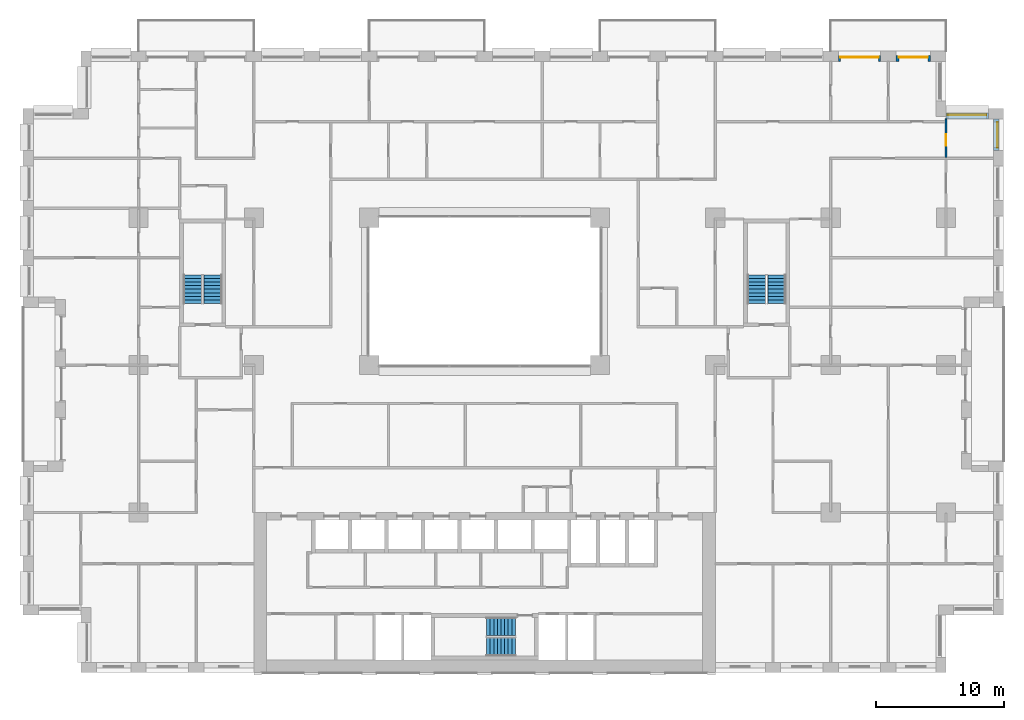
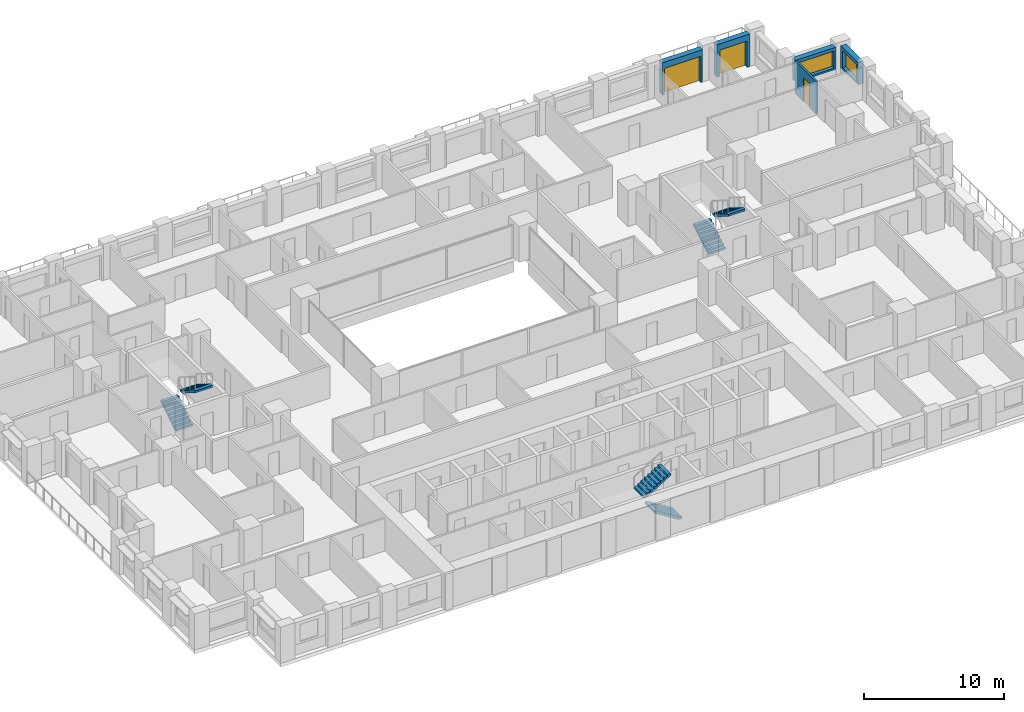
# One storey, part 17 of 19: 6 stair flights, 5 walls, 3 doors, 2 windows, 5 openings, 3 elements without a shape of their own.
"""IFC4 building model written with IfcOpenShell, lengths in metres."""

from ifc_helpers import new_model, si_unit, direction, frame, frame_2d, origin, place, context, subcontext, project, spatial, polyline, rectangle, outline, extrude, material, layer, layer_set, type_object, element, fill, aggregate, save


model = new_model("IFC4")

# Units and contexts
model_context = context("Model", 3, precision=1e-05, world=origin(), true_north=direction((0.0, 1.0)))
body_context = subcontext(model_context, "Body", "Model", "MODEL_VIEW")
ifc_project = project(units=[si_unit("LENGTHUNIT", "METRE"), si_unit("AREAUNIT", "SQUARE_METRE"), si_unit("VOLUMEUNIT", "CUBIC_METRE"), si_unit("PLANEANGLEUNIT", "RADIAN"), si_unit("MASSUNIT", "GRAM", prefix="KILO")], contexts=[model_context])

# Site, building, storey
site_placement = place(None, origin())
site = spatial("IfcSite", under=ifc_project, at=site_placement, CompositionType="ELEMENT")
building_placement = place(site_placement, origin())
building = spatial("IfcBuilding", under=site, at=building_placement, Name="Brigalow Station Residences", CompositionType="ELEMENT")
storey_placement = place(building_placement, frame((0.0, 0.0, 32.10009765625)))
storey = spatial("IfcBuildingStorey", under=building, at=storey_placement, Name="L08", CompositionType="ELEMENT", Elevation=32.10009765625)

# Wall, opening, window
ifc_material_1 = material(Name="Clay brick masonry", Category="masonry")
ifc_layer_1 = layer(ifc_material_1, 0.449951171875)
ifc_layer_set_1 = layer_set([ifc_layer_1], Name="BRICK INFILL WALL 450")
wall_type_1 = type_object("IfcWallType", Name="BRICK INFILL WALL 450", PredefinedType="SOLIDWALL", material=ifc_layer_set_1)
wall_1_placement = place(storey_placement, frame((75.925048828125, 40.72509765625, 0.89990234375), z_axis=(0.0, 0.0, 1.0), x_axis=(0.0, 1.0, 0.0)))
wall_1 = element("IfcWall", 1, at=wall_1_placement, inside=storey, type_object=wall_type_1, Name="L08/ewall/W-L08-22", PredefinedType="SOLIDWALL", context=body_context, shape_type="SweptSolid", body=[
    extrude(rectangle(XDim=2.474853515625, YDim=0.449951171875, at=frame_2d((1.2373046875, 0.0))), origin(), (0.0, 0.0, 1.0), 1.929931640625),
])
opening_1_placement = place(wall_1_placement, frame((0.237548828125, 0.0, 0.14990234375)))
opening_1 = element("IfcOpeningElement", 2, at=opening_1_placement, cuts=wall_1, Name="Opening WT-7", PredefinedType="OPENING", context=body_context, shape_type="SweptSolid", body=[
    extrude(rectangle(XDim=2.0, YDim=1.5, at=frame_2d((1.0, 0.75))), frame((0.0, 0.23486328125, 0.0), z_axis=(0.0, -1.0, 0.0), x_axis=(1.0, 0.0, 0.0)), (0.0, 0.0, 1.0), 0.469970703125),
])
ifc_material_2 = material(Name="Anodised aluminium frame with double glazing", Category="aluminium")
window_type_1 = type_object("IfcWindowType", Name="WINDOW 2000x1500", PartitioningType="SINGLE_PANEL", PredefinedType="WINDOW", material=ifc_material_2)
window_1_placement = place(opening_1_placement, origin())
window_1 = element("IfcWindow", 3, at=window_1_placement, inside=storey, type_object=window_type_1, Name="L08/window/W-L08-22", OverallHeight=1.5, OverallWidth=2.0, PartitioningType="SINGLE_PANEL", PredefinedType="WINDOW", context=body_context, shape_type="SweptSolid", body=[
    extrude(rectangle(XDim=2.0, YDim=1.5, at=frame_2d((1.0, 0.75))), frame((0.0, -0.06494140625, 0.0), z_axis=(0.0, -1.0, 0.0), x_axis=(1.0, 0.0, 0.0)), (0.0, 0.0, 1.0), 0.06005859375),
])
fill(opening_1, window_1)

wall_2_placement = place(storey_placement, frame((75.300048828125, 43.425048828125, 0.89990234375), z_axis=(0.0, 0.0, 1.0), x_axis=(-1.0, 0.0, 0.0)))
wall_2 = element("IfcWall", 4, at=wall_2_placement, inside=storey, type_object=wall_type_1, Name="L08/ewall/W-L08-23", PredefinedType="SOLIDWALL", context=body_context, shape_type="SweptSolid", body=[
    extrude(rectangle(XDim=3.300048828125, YDim=0.449951171875, at=frame_2d((1.64990234375, 0.0))), origin(), (0.0, 0.0, 1.0), 1.929931640625),
])
opening_2_placement = place(wall_2_placement, frame((0.14990234375, 0.0, 0.14990234375)))
opening_2 = element("IfcOpeningElement", 5, at=opening_2_placement, cuts=wall_2, Name="Opening WT-2", PredefinedType="OPENING", context=body_context, shape_type="SweptSolid", body=[
    extrude(rectangle(XDim=3.0, YDim=1.5, at=frame_2d((1.5, 0.75))), frame((0.0, 0.23486328125, 0.0), z_axis=(0.0, -1.0, 0.0), x_axis=(1.0, 0.0, 0.0)), (0.0, 0.0, 1.0), 0.469970703125),
])
ifc_material_3 = material(Name="Anodised aluminium frame with double glazing", Category="aluminium")
window_type_2 = type_object("IfcWindowType", Name="WINDOW 3000x1500", PartitioningType="SINGLE_PANEL", PredefinedType="WINDOW", material=ifc_material_3)
window_2_placement = place(opening_2_placement, origin())
window_2 = element("IfcWindow", 6, at=window_2_placement, inside=storey, type_object=window_type_2, Name="L08/window/W-L08-23", OverallHeight=1.5, OverallWidth=3.0, PartitioningType="SINGLE_PANEL", PredefinedType="WINDOW", context=body_context, shape_type="SweptSolid", body=[
    extrude(rectangle(XDim=3.0, YDim=1.5, at=frame_2d((1.5, 0.75))), frame((0.0, -0.06494140625, 0.0), z_axis=(0.0, -1.0, 0.0), x_axis=(1.0, 0.0, 0.0)), (0.0, 0.0, 1.0), 0.06005859375),
])
fill(opening_2, window_2)

# Wall, opening, door
wall_3_placement = place(storey_placement, frame((70.800048828125, 47.925048828125, 0.0), z_axis=(0.0, 0.0, 1.0), x_axis=(-1.0, 0.0, 0.0)))
wall_3 = element("IfcWall", 7, at=wall_3_placement, inside=storey, type_object=wall_type_1, Name="L08/ewall/W-L08-25", PredefinedType="SOLIDWALL", context=body_context, shape_type="SweptSolid", body=[
    extrude(rectangle(XDim=2.699951171875, YDim=0.449951171875, at=frame_2d((1.35009765625, 0.0))), origin(), (0.0, 0.0, 1.0), 2.829833984375),
])
opening_3_placement = place(wall_3_placement, frame((0.22509765625, 0.0, 0.0)))
opening_3 = element("IfcOpeningElement", 8, at=opening_3_placement, cuts=wall_3, Name="Opening D-B2250", PredefinedType="OPENING", context=body_context, shape_type="SweptSolid", body=[
    extrude(rectangle(XDim=2.25, YDim=2.300048828125, at=frame_2d((1.125, 1.14990234375))), frame((0.0, 0.23486328125, 0.0), z_axis=(0.0, -1.0, 0.0), x_axis=(1.0, 0.0, 0.0)), (0.0, 0.0, 1.0), 0.469970703125),
])
ifc_material_4 = material(Name="Anodised aluminium frame with double glazing", Category="aluminium")
door_type_1 = type_object("IfcDoorType", Name="BALCONY SLIDING DOOR 2250x2300", OperationType="SLIDING_TO_LEFT", PredefinedType="DOOR", material=ifc_material_4)
door_1_placement = place(opening_3_placement, origin())
door_1 = element("IfcDoor", 9, at=door_1_placement, inside=storey, type_object=door_type_1, Name="L08/balcony-door/W-L08-25", OperationType="SLIDING_TO_LEFT", OverallHeight=2.300048828125, OverallWidth=2.25, PredefinedType="DOOR", context=body_context, shape_type="SweptSolid", body=[
    extrude(rectangle(XDim=2.25, YDim=2.300048828125, at=frame_2d((1.125, 1.14990234375))), frame((0.0, -0.06982421875, 0.0), z_axis=(0.0, -1.0, 0.0), x_axis=(1.0, 0.0, 0.0)), (0.0, 0.0, 1.0), 0.050048828125),
])
fill(opening_3, door_1)

wall_4_placement = place(storey_placement, frame((66.89990234375, 47.925048828125, 0.0), z_axis=(0.0, 0.0, 1.0), x_axis=(-1.0, 0.0, 0.0)))
wall_4 = element("IfcWall", 10, at=wall_4_placement, inside=storey, type_object=wall_type_1, Name="L08/ewall/W-L08-26", PredefinedType="SOLIDWALL", context=body_context, shape_type="SweptSolid", body=[
    extrude(rectangle(XDim=3.2998046875, YDim=0.449951171875, at=frame_2d((1.64990234375, 0.0))), origin(), (0.0, 0.0, 1.0), 2.829833984375),
])
opening_4_placement = place(wall_4_placement, frame((0.14990234375, 0.0, 0.0)))
opening_4 = element("IfcOpeningElement", 11, at=opening_4_placement, cuts=wall_4, Name="Opening D-B3000", PredefinedType="OPENING", context=body_context, shape_type="SweptSolid", body=[
    extrude(rectangle(XDim=3.0, YDim=2.300048828125, at=frame_2d((1.5, 1.14990234375))), frame((0.0, 0.23486328125, 0.0), z_axis=(0.0, -1.0, 0.0), x_axis=(1.0, 0.0, 0.0)), (0.0, 0.0, 1.0), 0.469970703125),
])
ifc_material_5 = material(Name="Anodised aluminium frame with double glazing", Category="aluminium")
door_type_2 = type_object("IfcDoorType", Name="BALCONY SLIDING DOOR 3000x2300", OperationType="SLIDING_TO_LEFT", PredefinedType="DOOR", material=ifc_material_5)
door_2_placement = place(opening_4_placement, origin())
door_2 = element("IfcDoor", 12, at=door_2_placement, inside=storey, type_object=door_type_2, Name="L08/balcony-door/W-L08-26", OperationType="SLIDING_TO_LEFT", OverallHeight=2.300048828125, OverallWidth=3.0, PredefinedType="DOOR", context=body_context, shape_type="SweptSolid", body=[
    extrude(rectangle(XDim=3.0, YDim=2.300048828125, at=frame_2d((1.5, 1.14990234375))), frame((0.0, -0.06982421875, 0.0), z_axis=(0.0, -1.0, 0.0), x_axis=(1.0, 0.0, 0.0)), (0.0, 0.0, 1.0), 0.050048828125),
])
fill(opening_4, door_2)

ifc_material_6 = material(Name="Plasterboard on steel stud partition", Category="steel")
ifc_layer_2 = layer(ifc_material_6, 0.14990234375)
ifc_layer_set_2 = layer_set([ifc_layer_2], Name="FLAT PARTITION 150")
wall_type_2 = type_object("IfcWallType", Name="FLAT PARTITION 150", PredefinedType="PARTITIONING", material=ifc_layer_set_2)
wall_5_placement = place(storey_placement, frame((72.0, 40.199951171875, 0.0), z_axis=(0.0, 0.0, 1.0), x_axis=(0.0, 1.0, 0.0)))
wall_5 = element("IfcWall", 13, at=wall_5_placement, inside=storey, type_object=wall_type_2, Name="PW-1B76", PredefinedType="PARTITIONING", context=body_context, shape_type="SweptSolid", body=[
    extrude(rectangle(XDim=3.0, YDim=0.14990234375, at=frame_2d((1.5, 0.0))), origin(), (0.0, 0.0, 1.0), 2.829833984375),
])
opening_5_placement = place(wall_5_placement, frame((0.912109375, 0.0, 0.0)))
opening_5 = element("IfcOpeningElement", 14, at=opening_5_placement, cuts=wall_5, Name="Opening D-1B46", PredefinedType="OPENING", context=body_context, shape_type="SweptSolid", body=[
    extrude(rectangle(XDim=0.89990234375, YDim=2.10009765625, at=frame_2d((0.449951171875, 1.050048828125))), frame((0.0, 0.0849609375, 0.0), z_axis=(0.0, -1.0, 0.0), x_axis=(1.0, 0.0, 0.0)), (0.0, 0.0, 1.0), 0.169921875),
])
ifc_material_7 = material(Name="Solid-core timber door leaf", Category="wood")
door_type_3 = type_object("IfcDoorType", Name="INTERNAL DOOR 900 x 2100", OperationType="SINGLE_SWING_LEFT", PredefinedType="DOOR", material=ifc_material_7)
door_3_placement = place(opening_5_placement, frame((0.89990234375, 0.0, 0.0), z_axis=(0.0, 0.0, 1.0), x_axis=(-1.0, 0.0, 0.0)))
door_3 = element("IfcDoor", 15, at=door_3_placement, inside=storey, type_object=door_type_3, Name="D-1B46", OperationType="SINGLE_SWING_RIGHT", OverallHeight=2.10009765625, OverallWidth=0.89990234375, PredefinedType="DOOR", context=body_context, shape_type="SweptSolid", body=[
    extrude(rectangle(XDim=0.89990234375, YDim=2.10009765625, at=frame_2d((0.449951171875, 1.050048828125))), frame((0.0, 0.02490234375, 0.0), z_axis=(0.0, -1.0, 0.0), x_axis=(1.0, 0.0, 0.0)), (0.0, 0.0, 1.0), 0.050048828125),
])
fill(opening_5, door_3)

# Stair, stair flights
ifc_material_8 = material(Name="Concrete C50", Category="concrete")
stair_type = type_object("IfcStairType", Name="EXIT STAIR 1400 2 FLIGHT", PredefinedType="HALF_TURN_STAIR", material=ifc_material_8)
stair_1_placement = place(storey_placement, origin())
stair_1 = element("IfcStair", 16, at=stair_1_placement, inside=storey, type_object=stair_type, Name="EXIT STAIR S2 L08", PredefinedType="HALF_TURN_STAIR")
ifc_material_9 = material(Name="Concrete C50", Category="concrete")
stair_flight_type = type_object("IfcStairFlightType", Name="STAIR FLIGHT 1400", PredefinedType="STRAIGHT", material=ifc_material_9)
stair_flight_1_placement = place(storey_placement, frame((38.39990234375, 2.0, 0.0), z_axis=(0.0, 0.0, 1.0), x_axis=(-1.0, 0.0, 0.0)))
stair_flight_1 = element("IfcStairFlight", 17, at=stair_flight_1_placement, type_object=stair_flight_type, Name="ST-2 flight 1", NumberOfRisers=9, NumberOfTreads=8, PredefinedType="STRAIGHT", RiserHeight=0.175, TreadLength=0.28, context=body_context, shape_type="SweptSolid", body=[
    extrude(outline(polyline([(0.0, 0.0), (0.0, 0.175048828125), (0.280029296875, 0.175048828125), (0.280029296875, 0.35009765625), (0.56005859375, 0.35009765625), (0.56005859375, 0.52490234375), (0.840087890625, 0.52490234375), (0.840087890625, 0.699951171875), (1.1201171875, 0.699951171875), (1.1201171875, 0.875), (1.39990234375, 0.875), (1.39990234375, 1.050048828125), (1.679931640625, 1.050048828125), (1.679931640625, 1.22509765625), (1.9599609375, 1.22509765625), (1.9599609375, 1.39990234375), (2.239990234375, 1.39990234375), (2.239990234375, 1.574951171875), (2.239990234375, 1.22314453125), (0.28271484375, 0.0), (0.0, 0.0)])), frame((0.0, 0.699951171875, 0.0), z_axis=(0.0, -1.0, 0.0), x_axis=(1.0, 0.0, 0.0)), (0.0, 0.0, 1.0), 1.39990234375),
])
stair_flight_2_placement = place(storey_placement, frame((36.159912109375, 3.60009765625, 1.574951171875), z_axis=(0.0, 0.0, 1.0), x_axis=(1.0, 0.0, 0.0)))
stair_flight_2 = element("IfcStairFlight", 18, at=stair_flight_2_placement, type_object=stair_flight_type, Name="ST-2 flight 2", NumberOfRisers=9, NumberOfTreads=8, PredefinedType="STRAIGHT", RiserHeight=0.175, TreadLength=0.28, context=body_context, shape_type="SweptSolid", body=[
    extrude(outline(polyline([(0.0, 0.0), (0.0, 0.175048828125), (0.280029296875, 0.175048828125), (0.280029296875, 0.35009765625), (0.56005859375, 0.35009765625), (0.56005859375, 0.52490234375), (0.840087890625, 0.52490234375), (0.840087890625, 0.699951171875), (1.1201171875, 0.699951171875), (1.1201171875, 0.875), (1.39990234375, 0.875), (1.39990234375, 1.050048828125), (1.679931640625, 1.050048828125), (1.679931640625, 1.22509765625), (1.9599609375, 1.22509765625), (1.9599609375, 1.39990234375), (2.239990234375, 1.39990234375), (2.239990234375, 1.574951171875), (2.239990234375, 1.22314453125), (0.28271484375, 0.0), (0.0, 0.0)])), frame((0.0, 0.699951171875, 0.0), z_axis=(0.0, -1.0, 0.0), x_axis=(1.0, 0.0, 0.0)), (0.0, 0.0, 1.0), 1.39990234375),
])
aggregate(stair_1, [stair_flight_1, stair_flight_2])

stair_2_placement = place(storey_placement, origin())
stair_2 = element("IfcStair", 19, at=stair_2_placement, inside=storey, type_object=stair_type, Name="EXIT STAIR S1 L08", PredefinedType="HALF_TURN_STAIR")
stair_flight_3_placement = place(storey_placement, frame((13.199951171875, 28.800048828125, 0.0), z_axis=(0.0, 0.0, 1.0), x_axis=(0.0, 1.0, 0.0)))
stair_flight_3 = element("IfcStairFlight", 20, at=stair_flight_3_placement, type_object=stair_flight_type, Name="ST-1 flight 1", NumberOfRisers=9, NumberOfTreads=8, PredefinedType="STRAIGHT", RiserHeight=0.175, TreadLength=0.28, context=body_context, shape_type="SweptSolid", body=[
    extrude(outline(polyline([(0.0, 0.0), (0.0, 0.175048828125), (0.280029296875, 0.175048828125), (0.280029296875, 0.35009765625), (0.56005859375, 0.35009765625), (0.56005859375, 0.52490234375), (0.840087890625, 0.52490234375), (0.840087890625, 0.699951171875), (1.1201171875, 0.699951171875), (1.1201171875, 0.875), (1.39990234375, 0.875), (1.39990234375, 1.050048828125), (1.679931640625, 1.050048828125), (1.679931640625, 1.22509765625), (1.9599609375, 1.22509765625), (1.9599609375, 1.39990234375), (2.239990234375, 1.39990234375), (2.239990234375, 1.574951171875), (2.239990234375, 1.22314453125), (0.28271484375, 0.0), (0.0, 0.0)])), frame((0.0, 0.699951171875, 0.0), z_axis=(0.0, -1.0, 0.0), x_axis=(1.0, 0.0, 0.0)), (0.0, 0.0, 1.0), 1.39990234375),
])
stair_flight_4_placement = place(storey_placement, frame((14.800048828125, 31.0400390625, 1.574951171875), z_axis=(0.0, 0.0, 1.0), x_axis=(0.0, -1.0, 0.0)))
stair_flight_4 = element("IfcStairFlight", 21, at=stair_flight_4_placement, type_object=stair_flight_type, Name="ST-1 flight 2", NumberOfRisers=9, NumberOfTreads=8, PredefinedType="STRAIGHT", RiserHeight=0.175, TreadLength=0.28, context=body_context, shape_type="SweptSolid", body=[
    extrude(outline(polyline([(0.0, 0.0), (0.0, 0.175048828125), (0.280029296875, 0.175048828125), (0.280029296875, 0.35009765625), (0.56005859375, 0.35009765625), (0.56005859375, 0.52490234375), (0.840087890625, 0.52490234375), (0.840087890625, 0.699951171875), (1.1201171875, 0.699951171875), (1.1201171875, 0.875), (1.39990234375, 0.875), (1.39990234375, 1.050048828125), (1.679931640625, 1.050048828125), (1.679931640625, 1.22509765625), (1.9599609375, 1.22509765625), (1.9599609375, 1.39990234375), (2.239990234375, 1.39990234375), (2.239990234375, 1.574951171875), (2.239990234375, 1.22314453125), (0.28271484375, 0.0), (0.0, 0.0)])), frame((0.0, 0.699951171875, 0.0), z_axis=(0.0, -1.0, 0.0), x_axis=(1.0, 0.0, 0.0)), (0.0, 0.0, 1.0), 1.39990234375),
])
aggregate(stair_2, [stair_flight_3, stair_flight_4])

stair_3_placement = place(storey_placement, origin())
stair_3 = element("IfcStair", 22, at=stair_3_placement, inside=storey, type_object=stair_type, Name="EXIT STAIR S3 L08", PredefinedType="HALF_TURN_STAIR")
stair_flight_5_placement = place(storey_placement, frame((57.199951171875, 28.800048828125, 0.0), z_axis=(0.0, 0.0, 1.0), x_axis=(0.0, 1.0, 0.0)))
stair_flight_5 = element("IfcStairFlight", 23, at=stair_flight_5_placement, type_object=stair_flight_type, Name="ST-3 flight 1", NumberOfRisers=9, NumberOfTreads=8, PredefinedType="STRAIGHT", RiserHeight=0.175, TreadLength=0.28, context=body_context, shape_type="SweptSolid", body=[
    extrude(outline(polyline([(0.0, 0.0), (0.0, 0.175048828125), (0.280029296875, 0.175048828125), (0.280029296875, 0.35009765625), (0.56005859375, 0.35009765625), (0.56005859375, 0.52490234375), (0.840087890625, 0.52490234375), (0.840087890625, 0.699951171875), (1.1201171875, 0.699951171875), (1.1201171875, 0.875), (1.39990234375, 0.875), (1.39990234375, 1.050048828125), (1.679931640625, 1.050048828125), (1.679931640625, 1.22509765625), (1.9599609375, 1.22509765625), (1.9599609375, 1.39990234375), (2.239990234375, 1.39990234375), (2.239990234375, 1.574951171875), (2.239990234375, 1.22314453125), (0.28271484375, 0.0), (0.0, 0.0)])), frame((0.0, 0.699951171875, 0.0), z_axis=(0.0, -1.0, 0.0), x_axis=(1.0, 0.0, 0.0)), (0.0, 0.0, 1.0), 1.39990234375),
])
stair_flight_6_placement = place(storey_placement, frame((58.800048828125, 31.0400390625, 1.574951171875), z_axis=(0.0, 0.0, 1.0), x_axis=(0.0, -1.0, 0.0)))
stair_flight_6 = element("IfcStairFlight", 24, at=stair_flight_6_placement, type_object=stair_flight_type, Name="ST-3 flight 2", NumberOfRisers=9, NumberOfTreads=8, PredefinedType="STRAIGHT", RiserHeight=0.175, TreadLength=0.28, context=body_context, shape_type="SweptSolid", body=[
    extrude(outline(polyline([(0.0, 0.0), (0.0, 0.175048828125), (0.280029296875, 0.175048828125), (0.280029296875, 0.35009765625), (0.56005859375, 0.35009765625), (0.56005859375, 0.52490234375), (0.840087890625, 0.52490234375), (0.840087890625, 0.699951171875), (1.1201171875, 0.699951171875), (1.1201171875, 0.875), (1.39990234375, 0.875), (1.39990234375, 1.050048828125), (1.679931640625, 1.050048828125), (1.679931640625, 1.22509765625), (1.9599609375, 1.22509765625), (1.9599609375, 1.39990234375), (2.239990234375, 1.39990234375), (2.239990234375, 1.574951171875), (2.239990234375, 1.22314453125), (0.28271484375, 0.0), (0.0, 0.0)])), frame((0.0, 0.699951171875, 0.0), z_axis=(0.0, -1.0, 0.0), x_axis=(1.0, 0.0, 0.0)), (0.0, 0.0, 1.0), 1.39990234375),
])
aggregate(stair_3, [stair_flight_5, stair_flight_6])

save(model, "model.ifc")
